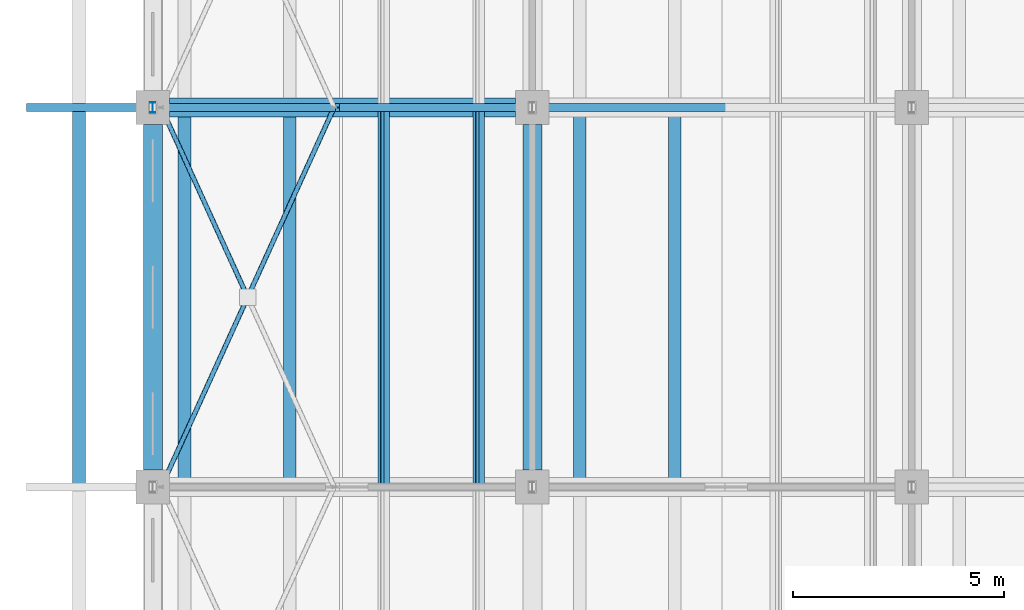
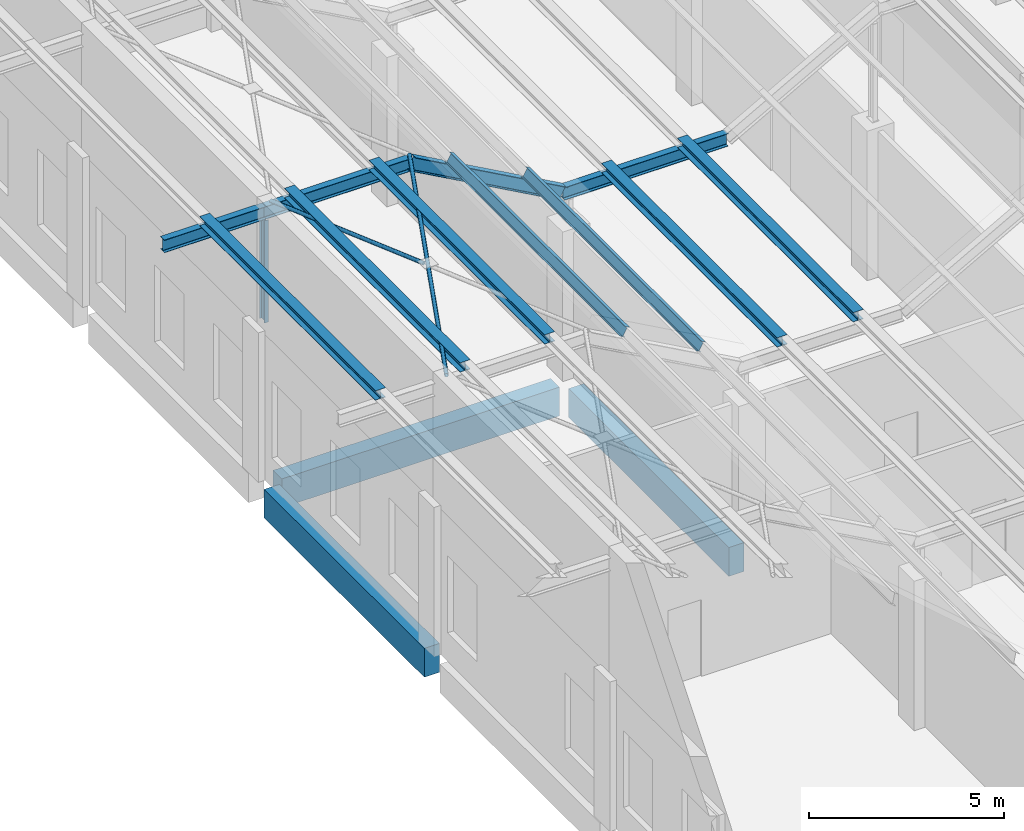
# One storey, part 31 of 437: 14 members, 3 beams.
"""IFC4 building model written with IfcOpenShell, lengths in metres."""

from ifc_helpers import new_model, si_unit, direction, frame, origin, origin_2d, place, context, subcontext, project, spatial, rectangle, hollow_circle, i_section, extrude, material, material_profile, profile_set, type_object, element, save


model = new_model("IFC4")

# Units and contexts
model_context = context("Model", 3, precision=1e-05, world=origin(), true_north=direction((0.0, 1.0)))
body_context = subcontext(model_context, "Body", "Model", "MODEL_VIEW")
ifc_project = project(units=[si_unit("LENGTHUNIT", "METRE"), si_unit("AREAUNIT", "SQUARE_METRE"), si_unit("VOLUMEUNIT", "CUBIC_METRE"), si_unit("PLANEANGLEUNIT", "RADIAN"), si_unit("MASSUNIT", "GRAM", prefix="KILO")], contexts=[model_context])

# Site, building, storey
site_placement = place(None, origin())
site = spatial("IfcSite", under=ifc_project, at=site_placement, CompositionType="ELEMENT")
building_placement = place(site_placement, origin())
building = spatial("IfcBuilding", under=site, at=building_placement, Name="Opaline Strait Convention Centre", CompositionType="ELEMENT")
storey_placement = place(building_placement, frame((0.0, 0.0, 11.5)))
storey = spatial("IfcBuildingStorey", under=building, at=storey_placement, Name="L02", CompositionType="ELEMENT", Elevation=11.5)

# Members
ifc_material_1 = material(Name="Steel Q355B", Category="steel")
ifc_material_profile_1 = material_profile(ifc_material_1, i_section(OverallWidth=0.300048828125, OverallDepth=0.300048828125, WebThickness=0.010009765625, FlangeThickness=0.014892578125, FilletRadius=0.012939453125, at=origin_2d()), Name="HW 300x300x10x15")
ifc_profile_set_1 = profile_set([ifc_material_profile_1], Name="Steel Q355B")
member_type_1 = type_object("IfcMemberType", Name="Crest purlin HW 300x300x10x15", PredefinedType="PURLIN", material=ifc_profile_set_1)
for number, where, z_axis, x_axis, name in (
    (1, (7.25, 54.0, 8.449951171875), (0.0, 1.0, 0.0), (-1.0, 0.0, 0.0), "RU1 purlin facet 1 line 1"),
    (2, (9.75, 54.0, 8.449951171875), (0.0, 1.0, 0.0), (-1.0, 0.0, 0.0), "RU1 purlin facet 1 line 2"),
    (3, (12.25, 54.0, 8.449951171875), (0.0, 1.0, 0.0), (-1.0, 0.0, 0.0), "RU1 purlin facet 1 line 3"),
    (4, (19.125, 54.0, 5.949951171875), (0.0, 1.0, 0.0), (-1.0, 0.0, 0.0), "RU1 purlin facet 3 line 1"),
    (5, (21.375, 54.0, 5.949951171875), (0.0, 1.0, 0.0), (-1.0, 0.0, 0.0), "RU1 purlin facet 3 line 2"),
):
    element("IfcMember", number, at=place(storey_placement, frame(where, z_axis=z_axis, x_axis=x_axis)), inside=storey, type_object=member_type_1, Name=name, PredefinedType="PURLIN", context=body_context, shape_type="SweptSolid", body=[
        extrude(i_section(OverallWidth=0.300048828125, OverallDepth=0.300048828125, WebThickness=0.010009765625, FlangeThickness=0.014892578125, FilletRadius=0.012939453125, at=origin_2d()), origin(), (0.0, 0.0, 1.0), 9.0),
    ])

# Beams
ifc_material_2 = material(Name="Concrete C35", Category="concrete")
ifc_material_profile_2 = material_profile(ifc_material_2, rectangle(XDim=0.449951171875, YDim=0.89990234375, at=origin_2d()), Name="RC 450x900")
ifc_profile_set_2 = profile_set([ifc_material_profile_2], Name="Concrete C35")
beam_type = type_object("IfcBeamType", Name="RC beam 450x900 C35", PredefinedType="BEAM", material=ifc_profile_set_2)
for number, where, z_axis, x_axis, name in (
    (6, (9.39990234375, 63.0, -0.72998046875), (1.0, 0.0, 0.0), (0.0, 1.0, 0.0), "XB1 L02 9/63-18/63"),
    (7, (9.0, 54.39990234375, -0.72998046875), (0.0, 1.0, 0.0), (-1.0, 0.0, 0.0), "XB1 L02 9/54-9/63"),
    (8, (18.0, 54.39990234375, -0.72998046875), (0.0, 1.0, 0.0), (-1.0, 0.0, 0.0), "XB1 L02 18/54-18/63"),
):
    element("IfcBeam", number, at=place(storey_placement, frame(where, z_axis=z_axis, x_axis=x_axis)), inside=storey, type_object=beam_type, Name=name, PredefinedType="BEAM", context=body_context, shape_type="SweptSolid", body=[
        extrude(rectangle(XDim=0.449951171875, YDim=0.89990234375, at=origin_2d()), origin(), (0.0, 0.0, 1.0), 8.2001953125),
    ])

# Members
ifc_material_profile_3 = material_profile(ifc_material_1, hollow_circle(Radius=0.056884765625, WallThickness=0.006103515625, at=origin_2d()), Name="CHS 114x6")
ifc_profile_set_3 = profile_set([ifc_material_profile_3], Name="Steel Q355B")
member_type_2 = type_object("IfcMemberType", Name="Roof bracing CHS 114x6", PredefinedType="BRACE", material=ifc_profile_set_3)
member_1_placement = place(storey_placement, frame((9.199951171875, 54.0, 8.35693359375), z_axis=(0.414572789354, 0.910016154981, 0.0), x_axis=(-0.910016154981, 0.414572789354, 0.0)))
element("IfcMember", 9, at=member_1_placement, inside=storey, type_object=member_type_2, Name="RX1 roof brace bay 6 at 9", PredefinedType="BRACE", context=body_context, shape_type="SweptSolid", body=[
    extrude(hollow_circle(Radius=0.056884765625, WallThickness=0.006103515625, at=origin_2d()), origin(), (0.0, 0.0, 1.0), 9.889892578125),
])
member_2_placement = place(storey_placement, frame((11.197265625, 58.61572265625, 8.35693359375), z_axis=(-0.414570207506, 0.91001733118, 0.0), x_axis=(-0.91001733118, -0.414570207506, 0.0)))
element("IfcMember", 10, at=member_2_placement, inside=storey, type_object=member_type_2, Name="RX1 roof brace bay 6 at 9", PredefinedType="BRACE", context=body_context, shape_type="SweptSolid", body=[
    extrude(hollow_circle(Radius=0.056884765625, WallThickness=0.006103515625, at=origin_2d()), origin(), (0.0, 0.0, 1.0), 4.81787109375),
])
ifc_material_profile_4 = material_profile(ifc_material_1, i_section(OverallWidth=0.125, OverallDepth=0.25, WebThickness=0.006103515625, FlangeThickness=0.009033203125, FilletRadius=0.008056640625, at=origin_2d()), Name="HN 250x125x6x9")
ifc_profile_set_4 = profile_set([ifc_material_profile_4], Name="Steel Q355B")
member_type_3 = type_object("IfcMemberType", Name="Roof post HN 250x125x6x9", PredefinedType="STRUT", material=ifc_profile_set_4)
member_3_placement = place(storey_placement, frame((9.0, 63.0, 4.68994140625), z_axis=(0.0, 0.0, 1.0), x_axis=(1.0, 0.0, 0.0)))
element("IfcMember", 11, at=member_3_placement, inside=storey, type_object=member_type_3, Name="RP1 roof post at 9/63", PredefinedType="STRUT", context=body_context, shape_type="SweptSolid", body=[
    extrude(i_section(OverallWidth=0.125, OverallDepth=0.25, WebThickness=0.006103515625, FlangeThickness=0.009033203125, FilletRadius=0.008056640625, at=origin_2d()), origin(), (0.0, 0.0, 1.0), 3.195068359375),
])
ifc_material_profile_5 = material_profile(ifc_material_1, i_section(OverallWidth=0.14990234375, OverallDepth=0.300048828125, WebThickness=0.006591796875, FlangeThickness=0.009033203125, FilletRadius=0.012939453125, at=origin_2d()), Name="HN 300x150x6.5x9")
ifc_profile_set_5 = profile_set([ifc_material_profile_5], Name="Steel Q355B")
member_type_4 = type_object("IfcMemberType", Name="Roof purlin HN 300x150x6.5x9", PredefinedType="PURLIN", material=ifc_profile_set_5)
for number, where, z_axis, x_axis, name in (
    (12, (14.479248046875, 54.0, 7.86279296875), (0.0, 1.0, 0.0), (-0.874157310866, 0.0, 0.485642868639), "RU1 purlin facet 2 line 1"),
    (13, (16.729248046875, 54.0, 6.61279296875), (0.0, 1.0, 0.0), (-0.874157310866, 0.0, 0.485642868639), "RU1 purlin facet 2 line 2"),
):
    element("IfcMember", number, at=place(storey_placement, frame(where, z_axis=z_axis, x_axis=x_axis)), inside=storey, type_object=member_type_4, Name=name, PredefinedType="PURLIN", context=body_context, shape_type="SweptSolid", body=[
        extrude(i_section(OverallWidth=0.14990234375, OverallDepth=0.300048828125, WebThickness=0.006591796875, FlangeThickness=0.009033203125, FilletRadius=0.012939453125, at=origin_2d()), origin(), (0.0, 0.0, 1.0), 9.0),
    ])
ifc_material_profile_6 = material_profile(ifc_material_1, i_section(OverallWidth=0.199951171875, OverallDepth=0.39990234375, WebThickness=0.008056640625, FlangeThickness=0.012939453125, FilletRadius=0.012939453125, at=origin_2d()), Name="HN 400x200x8x13")
ifc_profile_set_6 = profile_set([ifc_material_profile_6], Name="Steel Q355B")
member_type_5 = type_object("IfcMemberType", Name="Roof rafter HN 400x200x8x13", PredefinedType="RAFTER", material=ifc_profile_set_6)
member_4_placement = place(storey_placement, frame((6.0, 63.0, 8.10009765625), z_axis=(1.0, 0.0, 0.0), x_axis=(0.0, 1.0, 0.0)))
element("IfcMember", 14, at=member_4_placement, inside=storey, type_object=member_type_5, Name="RR1 rafter line 7 facet 1", PredefinedType="RAFTER", context=body_context, shape_type="SweptSolid", body=[
    extrude(i_section(OverallWidth=0.199951171875, OverallDepth=0.39990234375, WebThickness=0.008056640625, FlangeThickness=0.012939453125, FilletRadius=0.012939453125, at=origin_2d()), origin(), (0.0, 0.0, 1.0), 3.0),
])
member_5_placement = place(storey_placement, frame((9.0, 63.0, 8.10009765625), z_axis=(1.0, 0.0, 0.0), x_axis=(0.0, 1.0, 0.0)))
element("IfcMember", 15, at=member_5_placement, inside=storey, type_object=member_type_5, Name="RR1 rafter line 7 facet 2", PredefinedType="RAFTER", context=body_context, shape_type="SweptSolid", body=[
    extrude(i_section(OverallWidth=0.199951171875, OverallDepth=0.39990234375, WebThickness=0.008056640625, FlangeThickness=0.012939453125, FilletRadius=0.012939453125, at=origin_2d()), origin(), (0.0, 0.0, 1.0), 4.33154296875),
])
member_6_placement = place(storey_placement, frame((13.33154296875, 63.0, 8.10009765625), z_axis=(0.874157276122, 0.0, -0.485642931179), x_axis=(0.0, 1.0, 0.0)))
element("IfcMember", 16, at=member_6_placement, inside=storey, type_object=member_type_5, Name="RR1 rafter line 7 facet 3", PredefinedType="RAFTER", context=body_context, shape_type="SweptSolid", body=[
    extrude(i_section(OverallWidth=0.199951171875, OverallDepth=0.39990234375, WebThickness=0.008056640625, FlangeThickness=0.012939453125, FilletRadius=0.012939453125, at=origin_2d()), origin(), (0.0, 0.0, 1.0), 5.147705078125),
])
member_7_placement = place(storey_placement, frame((17.83154296875, 63.0, 5.60009765625), z_axis=(1.0, 0.0, 0.0), x_axis=(0.0, 1.0, 0.0)))
element("IfcMember", 17, at=member_7_placement, inside=storey, type_object=member_type_5, Name="RR1 rafter line 7 facet 4", PredefinedType="RAFTER", context=body_context, shape_type="SweptSolid", body=[
    extrude(i_section(OverallWidth=0.199951171875, OverallDepth=0.39990234375, WebThickness=0.008056640625, FlangeThickness=0.012939453125, FilletRadius=0.012939453125, at=origin_2d()), origin(), (0.0, 0.0, 1.0), 4.8369140625),
])

save(model, "model.ifc")
